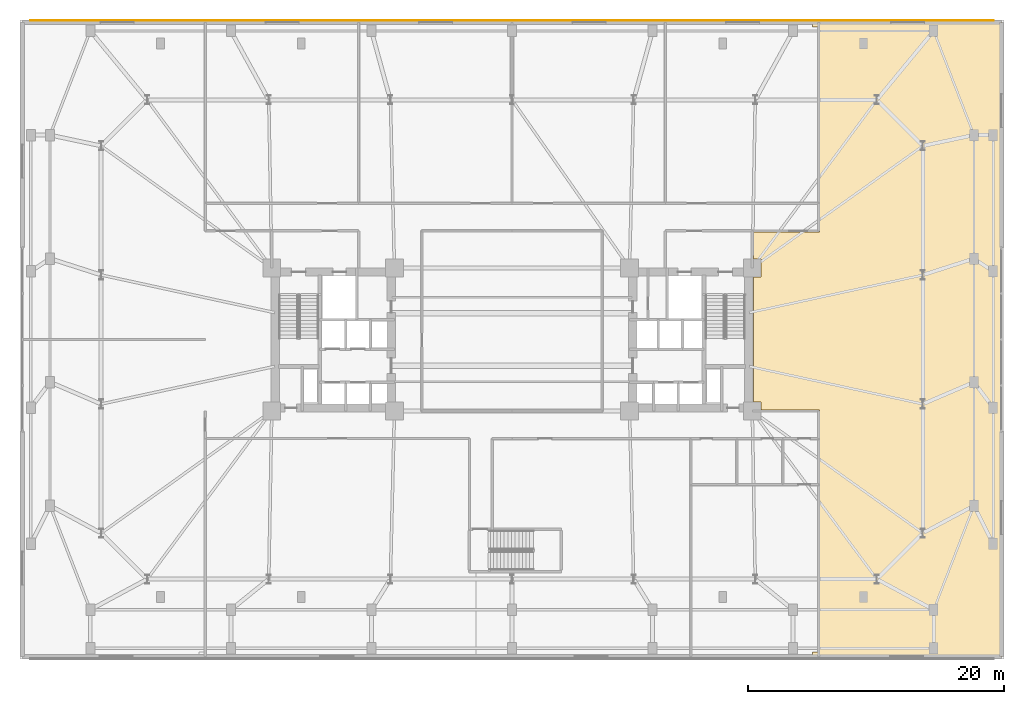
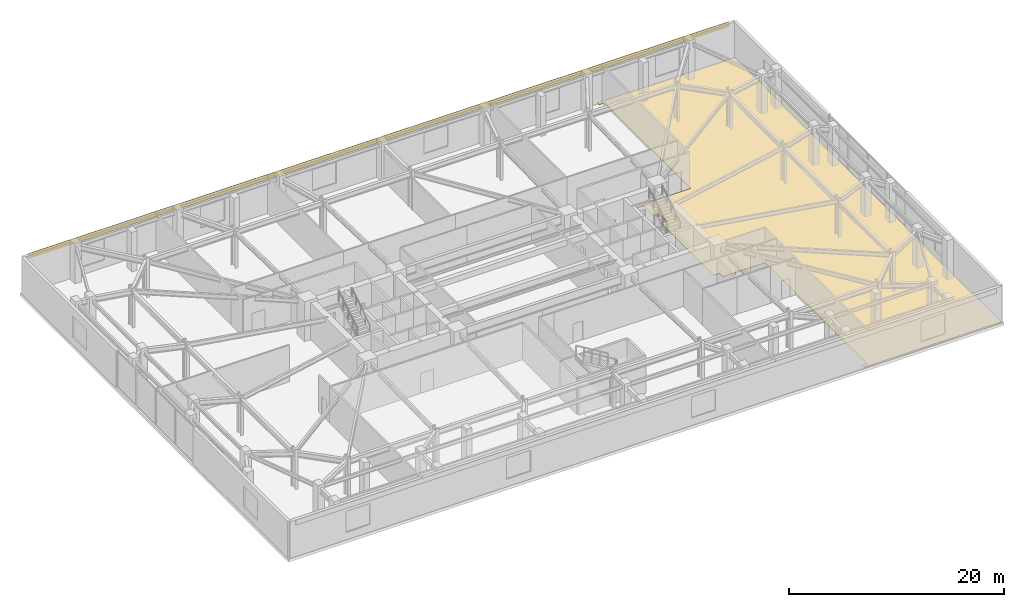
# One storey, part 23 of 23: 2 coverings.
"""IFC4 building model written with IfcOpenShell, lengths in metres."""

import ifcopenshell
import ifcopenshell.guid

model = None  # the IFC model being written
_history = None  # IfcOwnerHistory: only IFC2X3 demands one
_inside = {}  # id of a spatial element -> (the spatial element, [elements in it])
_under = {}  # id of a project, library or spatial element -> (it, [spatial elements below it])
_declared = {}  # id of a project -> (the project, [libraries it declares])
_typed = {}  # id of a type object -> (the type object, [elements of that type])
_made_of = {}  # id of a material, layer set ... -> (it, [elements and type objects made of it])


def new_model(schema):
    """Start an empty IFC model of exactly this schema.

    Asked for "IFC4X3", IfcOpenShell would pick the latest addendum, in which some entities
    have other attributes; the version numbers below select the first issue.
    IFC2X3 requires an IfcOwnerHistory on every rooted entity: one is made here for all.
    """
    global model, _history
    if schema == "IFC4X3":
        model = ifcopenshell.file(schema_version=(4, 3, 0, 0))
    else:
        model = ifcopenshell.file(schema=schema)
    _inside.clear()
    _under.clear()
    _declared.clear()
    _typed.clear()
    _made_of.clear()
    _history = None
    if model.schema == "IFC2X3":
        org = make("IfcOrganization", Name="unknown")
        user = make(
            "IfcPersonAndOrganization",
            ThePerson=make("IfcPerson", FamilyName="unknown"),
            TheOrganization=org,
        )
        app = make(
            "IfcApplication",
            ApplicationDeveloper=org,
            Version="unknown",
            ApplicationFullName="unknown",
            ApplicationIdentifier="unknown",
        )
        _history = make(
            "IfcOwnerHistory",
            OwningUser=user,
            OwningApplication=app,
            ChangeAction="ADDED",
            CreationDate=0,
        )
    return model


def make(cls, **values):
    """One entity of the class cls with the attributes given. An attribute that is None is left unset."""
    return model.create_entity(
        cls, **{name: value for name, value in values.items() if value is not None}
    )


def rooted(cls, **values):
    """An entity with a GlobalId (a new one), such as an element, a storey or a relation."""
    return make(cls, GlobalId=ifcopenshell.guid.new(), OwnerHistory=_history, **values)


def si_unit(unit_type, name, prefix=None):
    """IfcSIUnit, for example si_unit("LENGTHUNIT", "METRE", prefix="MILLI")."""
    return make("IfcSIUnit", UnitType=unit_type, Prefix=prefix, Name=name)


def assignment(units):
    """IfcUnitAssignment: the units of a project."""
    return None if units is None else make("IfcUnitAssignment", Units=units)


def point(xyz):
    """IfcCartesianPoint."""
    return None if xyz is None else make("IfcCartesianPoint", Coordinates=xyz)


def direction(xyz):
    """IfcDirection."""
    return None if xyz is None else make("IfcDirection", DirectionRatios=xyz)


def frame(location, z_axis=None, x_axis=None):
    """IfcAxis2Placement3D, a coordinate frame: its origin and axes. An axis left out is left unset."""
    return make(
        "IfcAxis2Placement3D",
        Location=point(location),
        Axis=direction(z_axis),
        RefDirection=direction(x_axis),
    )


def origin():
    """The frame at (0, 0, 0) with its axes left unset."""
    return frame((0.0, 0.0, 0.0))


def place(relative_to, where):
    """IfcLocalPlacement: puts the frame where relative to a parent placement (None: the world)."""
    return make(
        "IfcLocalPlacement", PlacementRelTo=relative_to, RelativePlacement=where
    )


def context(
    kind, dimensions, precision=None, world=None, true_north=None, identifier=None
):
    """IfcGeometricRepresentationContext, for example the 3D "Model" context."""
    return make(
        "IfcGeometricRepresentationContext",
        ContextIdentifier=identifier,
        ContextType=kind,
        CoordinateSpaceDimension=dimensions,
        Precision=precision,
        WorldCoordinateSystem=world,
        TrueNorth=true_north,
    )


def subcontext(parent, identifier, kind, view, scale=None):
    """IfcGeometricRepresentationSubContext, for example "Body" below "Model"."""
    return make(
        "IfcGeometricRepresentationSubContext",
        ContextIdentifier=identifier,
        ContextType=kind,
        ParentContext=parent,
        TargetScale=scale,
        TargetView=view,
    )


def project(units=None, contexts=None):
    """IfcProject with its units and contexts."""
    return rooted(
        "IfcProject",
        Name="project",
        RepresentationContexts=contexts,
        UnitsInContext=assignment(units),
    )


def spatial(cls, under=None, at=None, **own):
    """A site, building, storey or space (cls), placed at a placement, below another one or the project."""
    s = rooted(cls, ObjectPlacement=at, **own)
    if under is not None:
        _under.setdefault(under.id(), (under, []))[1].append(s)
    return s


def polyline(points):
    """IfcPolyline through the points."""
    return make("IfcPolyline", Points=[point(p) for p in points])


def outline(outer, holes=None, kind="AREA"):
    """IfcArbitraryClosedProfileDef: a profile drawn as a closed curve; with holes, ...WithVoids."""
    if holes is None:
        return make("IfcArbitraryClosedProfileDef", ProfileType=kind, OuterCurve=outer)
    return make(
        "IfcArbitraryProfileDefWithVoids",
        ProfileType=kind,
        OuterCurve=outer,
        InnerCurves=holes,
    )


def extrude(swept, where, along, depth):
    """IfcExtrudedAreaSolid: the profile swept, set in the frame where, extruded along a direction by depth."""
    return make(
        "IfcExtrudedAreaSolid",
        SweptArea=swept,
        Position=where,
        ExtrudedDirection=direction(along),
        Depth=depth,
    )


def shape(context_of_items, identifier, shape_type, items):
    """IfcShapeRepresentation: the items that make up one representation, for example the "Body"."""
    return make(
        "IfcShapeRepresentation",
        ContextOfItems=context_of_items,
        RepresentationIdentifier=identifier,
        RepresentationType=shape_type,
        Items=items,
    )


def material(Name=None, Category=None):
    """IfcMaterial."""
    return make("IfcMaterial", Name=Name, Category=Category)


def layer(
    of_material, thickness, ventilated=None, Name=None, Category=None, Priority=None
):
    """IfcMaterialLayer: one layer of a wall or slab, of a material (None: an air gap)."""
    return make(
        "IfcMaterialLayer",
        Material=of_material,
        LayerThickness=thickness,
        IsVentilated=ventilated,
        Name=Name,
        Category=Category,
        Priority=Priority,
    )


def layer_set(layers, Name=None):
    """IfcMaterialLayerSet."""
    return make("IfcMaterialLayerSet", MaterialLayers=layers, LayerSetName=Name)


def made_of(thing, what):
    """Note that an element or type object is made of a material, layer set ...; save() writes the relation."""
    if what is not None:
        _made_of.setdefault(what.id(), (what, []))[1].append(thing)
    return thing


def type_object(cls, material=None, **own):
    """A type object (cls), such as IfcWallType, which elements share."""
    return made_of(rooted(cls, **own), material)


def element(
    cls,
    number,
    at=None,
    inside=None,
    cuts=None,
    type_object=None,
    material=None,
    context=None,
    identifier="Body",
    shape_type=None,
    held_by="IfcProductDefinitionShape",
    body=None,
    shapes=None,
    **own,
):
    """One element of the class cls, such as IfcWall. Its Tag is "e" and its number.

    at: its placement. inside: the storey or other place that contains it. cuts: it is an
    opening in that element (IfcRelVoidsElement). A single representation is given by context,
    identifier, shape_type and body (its items); several are given by shapes. held_by: the class
    of the entity that holds the representations. save() writes the other relations.
    """
    e = rooted(cls, Tag="e%d" % number, ObjectPlacement=at, **own)
    if body is not None:
        shapes = [shape(context, identifier, shape_type, body)]
    if shapes is not None:
        e.Representation = make(held_by, Representations=shapes)
    if inside is not None:
        _inside.setdefault(inside.id(), (inside, []))[1].append(e)
    if cuts is not None:
        rooted(
            "IfcRelVoidsElement", RelatingBuildingElement=cuts, RelatedOpeningElement=e
        )
    if type_object is not None:
        _typed.setdefault(type_object.id(), (type_object, []))[1].append(e)
    return made_of(e, material)


def aggregate(whole, parts):
    """IfcRelAggregates: a whole, such as a stair, and the parts it consists of."""
    return rooted("IfcRelAggregates", RelatingObject=whole, RelatedObjects=parts)


def save(model, path):
    """Write the relations noted so far, then the file.

    IfcRelAggregates (storeys below a building ...), IfcRelContainedInSpatialStructure (elements
    in a storey), IfcRelDefinesByType, IfcRelAssociatesMaterial and IfcRelDeclares: one each for
    every whole, place, type object, material and project.
    """
    for whole, parts in _under.values():
        aggregate(whole, parts)
    for where, things in _inside.values():
        rooted(
            "IfcRelContainedInSpatialStructure",
            RelatedElements=things,
            RelatingStructure=where,
        )
    for kind, things in _typed.values():
        rooted("IfcRelDefinesByType", RelatedObjects=things, RelatingType=kind)
    for what, things in _made_of.values():
        rooted("IfcRelAssociatesMaterial", RelatedObjects=things, RelatingMaterial=what)
    for by, libraries in _declared.values():
        rooted("IfcRelDeclares", RelatingContext=by, RelatedDefinitions=libraries)
    model.write(path)


model = new_model("IFC4")

# Units and contexts
model_context = context("Model", 3, precision=1e-05, world=origin(), true_north=direction((0.0, 1.0)))
body_context = subcontext(model_context, "Body", "Model", "MODEL_VIEW")
ifc_project = project(units=[si_unit("LENGTHUNIT", "METRE"), si_unit("AREAUNIT", "SQUARE_METRE"), si_unit("VOLUMEUNIT", "CUBIC_METRE"), si_unit("PLANEANGLEUNIT", "RADIAN"), si_unit("MASSUNIT", "GRAM", prefix="KILO")], contexts=[model_context])

# Site, building, storey
site_placement = place(None, origin())
site = spatial("IfcSite", under=ifc_project, at=site_placement, CompositionType="ELEMENT")
building_placement = place(site_placement, origin())
building = spatial("IfcBuilding", under=site, at=building_placement, Name="Qobustan Lattice House", CompositionType="ELEMENT")
storey_placement = place(building_placement, frame((0.0, 0.0, 9.0)))
storey = spatial("IfcBuildingStorey", under=building, at=storey_placement, Name="L02", CompositionType="ELEMENT", Elevation=9.0)

# Coverings
ifc_material_1 = material(Name="Qobustan buff limestone cladding", Category="masonry")
ifc_layer_1 = layer(ifc_material_1, 0.044921875)
ifc_layer_set_1 = layer_set([ifc_layer_1], Name="Qobustan buff limestone cladding")
covering_type_1 = type_object("IfcCoveringType", Name="COV-STONE-CLAD", PredefinedType="CLADDING", material=ifc_layer_set_1)
covering_1_placement = place(storey_placement, frame((0.0, 0.0, 3.6201171875)))
element("IfcCovering", 1, at=covering_1_placement, inside=storey, type_object=covering_type_1, Name="L02 N Qobustan limestone cornice band", PredefinedType="CLADDING", context=body_context, shape_type="SweptSolid", body=[
    extrude(outline(polyline([(-37.699951171875, 24.9580078125), (-37.699951171875, 25.0029296875), (37.699951171875, 25.0029296875), (37.699951171875, 24.9580078125), (-37.699951171875, 24.9580078125)])), origin(), (0.0, 0.0, 1.0), 0.5498046875),
])
ifc_material_2 = material(Name="Honed Absheron stone terrazzo flooring", Category="masonry")
ifc_layer_2 = layer(ifc_material_2, 0.02490234375)
ifc_layer_set_2 = layer_set([ifc_layer_2], Name="Honed Absheron stone terrazzo flooring")
covering_type_2 = type_object("IfcCoveringType", Name="COV-TERRAZZO-FLR", PredefinedType="FLOORING", material=ifc_layer_set_2)
covering_2_placement = place(storey_placement, origin())
element("IfcCovering", 2, at=covering_2_placement, inside=storey, type_object=covering_type_2, Name="L02 Design exhibition hall stone terrazzo flooring", PredefinedType="FLOORING", context=body_context, shape_type="SweptSolid", body=[
    extrude(outline(polyline([(38.330078125, -24.830078125), (38.330078125, 24.830078125), (23.5, 24.830078125), (23.5, 24.4599609375), (24.080078125, 24.4599609375), (24.080078125, 8.419921875), (18.8798828125, 8.419921875), (18.8798828125, 6.302001953125), (19.501953125, 6.302001953125), (19.501953125, 4.89794921875), (18.8798828125, 4.89794921875), (18.8798828125, -4.89794921875), (19.501953125, -4.89794921875), (19.501953125, -5.52001953125), (24.080078125, -5.52001953125), (24.080078125, -24.4599609375), (23.5, -24.4599609375), (23.5, -24.830078125), (38.330078125, -24.830078125)])), origin(), (0.0, 0.0, 1.0), 0.02490234375),
])

save(model, "model.ifc")
